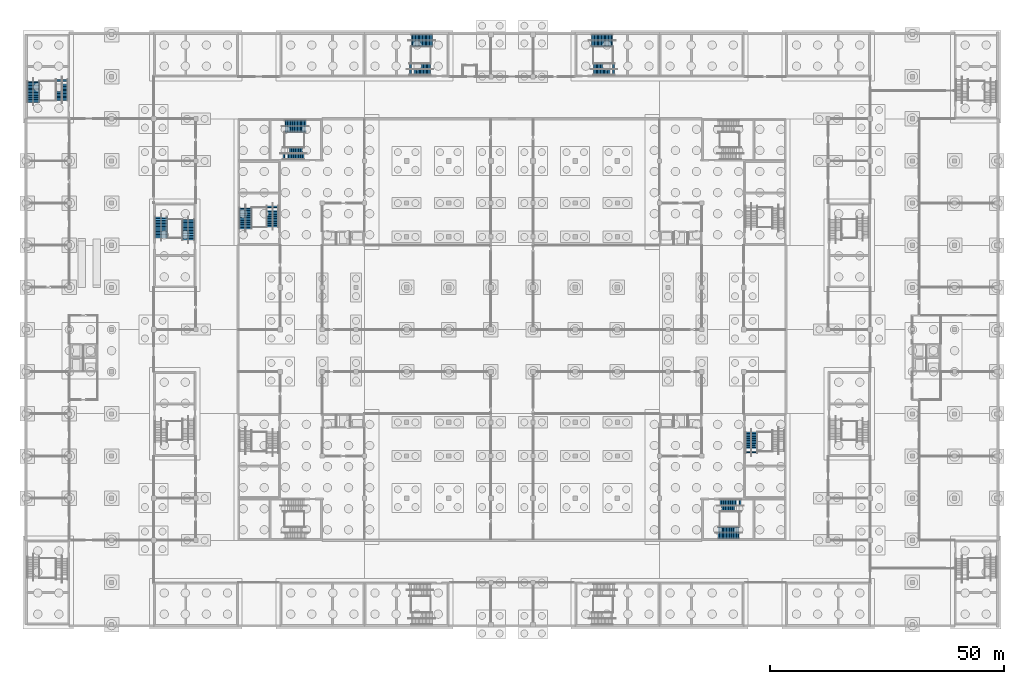
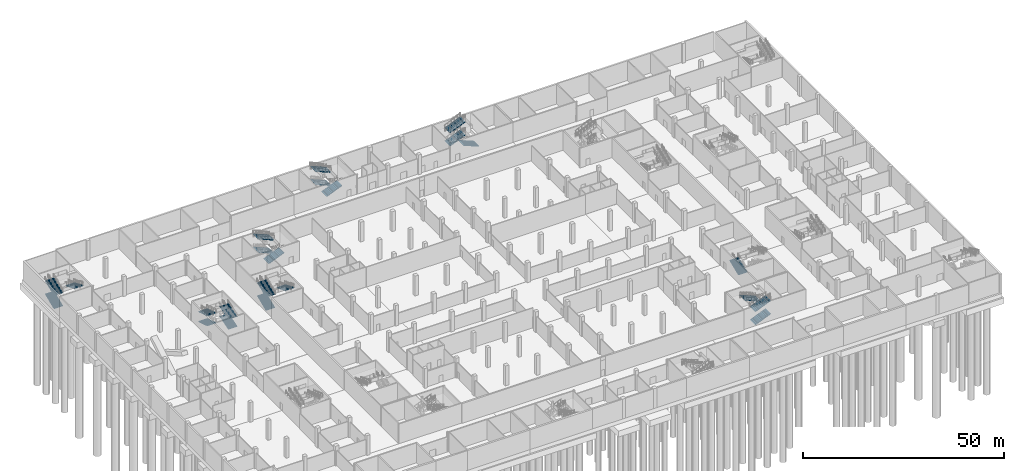
# One storey, part 24 of 42: 23 stair flights, 8 elements without a shape of their own.
"""IFC4 building model written with IfcOpenShell, lengths in metres."""

from ifc_helpers import new_model, si_unit, direction, frame, origin, place, context, subcontext, project, spatial, polyline, outline, extrude, material, type_object, element, aggregate, save


model = new_model("IFC4")

# Units and contexts
model_context = context("Model", 3, precision=1e-05, world=origin(), true_north=direction((0.0, 1.0)))
body_context = subcontext(model_context, "Body", "Model", "MODEL_VIEW")
ifc_project = project(units=[si_unit("LENGTHUNIT", "METRE"), si_unit("AREAUNIT", "SQUARE_METRE"), si_unit("VOLUMEUNIT", "CUBIC_METRE"), si_unit("PLANEANGLEUNIT", "RADIAN"), si_unit("MASSUNIT", "GRAM", prefix="KILO")], contexts=[model_context])

# Site, building, storey
site_placement = place(None, origin())
site = spatial("IfcSite", under=ifc_project, at=site_placement, CompositionType="ELEMENT")
building_placement = place(site_placement, origin())
building = spatial("IfcBuilding", under=site, at=building_placement, Name="Silverbay Arena", CompositionType="ELEMENT")
storey_placement = place(building_placement, frame((0.0, 0.0, -6.0)))
storey = spatial("IfcBuildingStorey", under=building, at=storey_placement, Name="B1", CompositionType="ELEMENT", Elevation=-6.0)

# Stair, stair flights
ifc_material_1 = material(Name="Concrete Grade C45", Category="concrete")
stair_type_1 = type_object("IfcStairType", Name="Stair 2600 wide 56 risers 107.1 x 340", PredefinedType="HALF_TURN_STAIR", material=ifc_material_1)
stair_1_placement = place(storey_placement, origin())
stair_1 = element("IfcStair", 1, at=stair_1_placement, inside=storey, type_object=stair_type_1, Name="Stair ST-W2 B1 to L00", PredefinedType="HALF_TURN_STAIR")
ifc_material_2 = material(Name="Concrete Grade C45", Category="concrete")
stair_flight_type_1 = type_object("IfcStairFlightType", Name="Stair flight 2600 wide 14 risers 107.1 x 340", PredefinedType="STRAIGHT", material=ifc_material_2)
stair_flight_1_placement = place(storey_placement, frame((61.39990234375, 100.100830078125, 0.0), z_axis=(0.0, 0.0, 1.0), x_axis=(0.0, 1.0, 0.0)))
stair_flight_1 = element("IfcStairFlight", 2, at=stair_flight_1_placement, type_object=stair_flight_type_1, Name="Stair ST-W2 B1 to L00 flight 1", NumberOfRisers=14, NumberOfTreads=13, PredefinedType="STRAIGHT", RiserHeight=0.107142857, TreadLength=0.34, context=body_context, shape_type="SweptSolid", body=[
    extrude(outline(polyline([(0.0, 0.0), (0.0, 0.107177734375), (0.340087890625, 0.107177734375), (0.340087890625, 0.21435546875), (0.679931640625, 0.21435546875), (0.679931640625, 0.321533203125), (1.02001953125, 0.321533203125), (1.02001953125, 0.428466796875), (1.360107421875, 0.428466796875), (1.360107421875, 0.53564453125), (1.699951171875, 0.53564453125), (1.699951171875, 0.642822265625), (2.0400390625, 0.642822265625), (2.0400390625, 0.75), (2.3798828125, 0.75), (2.3798828125, 0.857177734375), (2.719970703125, 0.857177734375), (2.719970703125, 0.96435546875), (3.06005859375, 0.96435546875), (3.06005859375, 1.071533203125), (3.39990234375, 1.071533203125), (3.39990234375, 1.178466796875), (3.739990234375, 1.178466796875), (3.739990234375, 1.28564453125), (4.080078125, 1.28564453125), (4.080078125, 1.392822265625), (4.419921875, 1.392822265625), (4.419921875, 1.235595703125), (0.498779296875, 0.0), (0.0, 0.0)])), frame((0.0, 1.300048828125, 0.0), z_axis=(0.0, -1.0, 0.0), x_axis=(1.0, 0.0, 0.0)), (0.0, 0.0, 1.0), 2.60009765625),
])
stair_flight_2_placement = place(storey_placement, frame((55.60009765625, 105.02001953125, 1.5), z_axis=(0.0, 0.0, 1.0), x_axis=(0.0, -1.0, 0.0)))
stair_flight_2 = element("IfcStairFlight", 3, at=stair_flight_2_placement, type_object=stair_flight_type_1, Name="Stair ST-W2 B1 to L00 flight 2", NumberOfRisers=14, NumberOfTreads=13, PredefinedType="STRAIGHT", RiserHeight=0.107142857, TreadLength=0.34, context=body_context, shape_type="SweptSolid", body=[
    extrude(outline(polyline([(0.0, 0.0), (0.0, 0.107177734375), (0.340087890625, 0.107177734375), (0.340087890625, 0.21435546875), (0.679931640625, 0.21435546875), (0.679931640625, 0.321533203125), (1.02001953125, 0.321533203125), (1.02001953125, 0.428466796875), (1.360107421875, 0.428466796875), (1.360107421875, 0.53564453125), (1.699951171875, 0.53564453125), (1.699951171875, 0.642822265625), (2.0400390625, 0.642822265625), (2.0400390625, 0.75), (2.3798828125, 0.75), (2.3798828125, 0.857177734375), (2.719970703125, 0.857177734375), (2.719970703125, 0.96435546875), (3.06005859375, 0.96435546875), (3.06005859375, 1.071533203125), (3.39990234375, 1.071533203125), (3.39990234375, 1.178466796875), (3.739990234375, 1.178466796875), (3.739990234375, 1.28564453125), (4.080078125, 1.28564453125), (4.080078125, 1.392822265625), (4.419921875, 1.392822265625), (4.419921875, 1.235595703125), (0.498779296875, 0.0), (0.0, 0.0)])), frame((0.0, 1.300048828125, 0.0), z_axis=(0.0, -1.0, 0.0), x_axis=(1.0, 0.0, 0.0)), (0.0, 0.0, 1.0), 2.60009765625),
])
stair_flight_3_placement = place(storey_placement, frame((61.39990234375, 100.100830078125, 3.0), z_axis=(0.0, 0.0, 1.0), x_axis=(0.0, 1.0, 0.0)))
stair_flight_3 = element("IfcStairFlight", 4, at=stair_flight_3_placement, type_object=stair_flight_type_1, Name="Stair ST-W2 B1 to L00 flight 3", NumberOfRisers=14, NumberOfTreads=13, PredefinedType="STRAIGHT", RiserHeight=0.107142857, TreadLength=0.34, context=body_context, shape_type="SweptSolid", body=[
    extrude(outline(polyline([(0.0, 0.0), (0.0, 0.107177734375), (0.340087890625, 0.107177734375), (0.340087890625, 0.21435546875), (0.679931640625, 0.21435546875), (0.679931640625, 0.321533203125), (1.02001953125, 0.321533203125), (1.02001953125, 0.428466796875), (1.360107421875, 0.428466796875), (1.360107421875, 0.53564453125), (1.699951171875, 0.53564453125), (1.699951171875, 0.642822265625), (2.0400390625, 0.642822265625), (2.0400390625, 0.75), (2.3798828125, 0.75), (2.3798828125, 0.857177734375), (2.719970703125, 0.857177734375), (2.719970703125, 0.96435546875), (3.06005859375, 0.96435546875), (3.06005859375, 1.071533203125), (3.39990234375, 1.071533203125), (3.39990234375, 1.178466796875), (3.739990234375, 1.178466796875), (3.739990234375, 1.28564453125), (4.080078125, 1.28564453125), (4.080078125, 1.392822265625), (4.419921875, 1.392822265625), (4.419921875, 1.235595703125), (0.498779296875, 0.0), (0.0, 0.0)])), frame((0.0, 1.300048828125, 0.0), z_axis=(0.0, -1.0, 0.0), x_axis=(1.0, 0.0, 0.0)), (0.0, 0.0, 1.0), 2.60009765625),
])
stair_flight_4_placement = place(storey_placement, frame((55.60009765625, 105.02001953125, 4.5), z_axis=(0.0, 0.0, 1.0), x_axis=(0.0, -1.0, 0.0)))
stair_flight_4 = element("IfcStairFlight", 5, at=stair_flight_4_placement, type_object=stair_flight_type_1, Name="Stair ST-W2 B1 to L00 flight 4", NumberOfRisers=14, NumberOfTreads=13, PredefinedType="STRAIGHT", RiserHeight=0.107142857, TreadLength=0.34, context=body_context, shape_type="SweptSolid", body=[
    extrude(outline(polyline([(0.0, 0.0), (0.0, 0.107177734375), (0.340087890625, 0.107177734375), (0.340087890625, 0.21435546875), (0.679931640625, 0.21435546875), (0.679931640625, 0.321533203125), (1.02001953125, 0.321533203125), (1.02001953125, 0.428466796875), (1.360107421875, 0.428466796875), (1.360107421875, 0.53564453125), (1.699951171875, 0.53564453125), (1.699951171875, 0.642822265625), (2.0400390625, 0.642822265625), (2.0400390625, 0.75), (2.3798828125, 0.75), (2.3798828125, 0.857177734375), (2.719970703125, 0.857177734375), (2.719970703125, 0.96435546875), (3.06005859375, 0.96435546875), (3.06005859375, 1.071533203125), (3.39990234375, 1.071533203125), (3.39990234375, 1.178466796875), (3.739990234375, 1.178466796875), (3.739990234375, 1.28564453125), (4.080078125, 1.28564453125), (4.080078125, 1.392822265625), (4.419921875, 1.392822265625), (4.419921875, 1.235595703125), (0.498779296875, 0.0), (0.0, 0.0)])), frame((0.0, 1.300048828125, 0.0), z_axis=(0.0, -1.0, 0.0), x_axis=(1.0, 0.0, 0.0)), (0.0, 0.0, 1.0), 2.60009765625),
])
aggregate(stair_1, [stair_flight_1, stair_flight_2, stair_flight_3, stair_flight_4])

ifc_material_3 = material(Name="Concrete Grade C45", Category="concrete")
stair_type_2 = type_object("IfcStairType", Name="Stair 2600 wide 48 risers 125.0 x 300", PredefinedType="HALF_TURN_STAIR", material=ifc_material_3)
stair_2_placement = place(storey_placement, origin())
stair_2 = element("IfcStair", 6, at=stair_2_placement, inside=storey, type_object=stair_type_2, Name="Stair ST-N2 B1 to L00", PredefinedType="HALF_TURN_STAIR")
ifc_material_4 = material(Name="Concrete Grade C45", Category="concrete")
stair_flight_type_2 = type_object("IfcStairFlightType", Name="Stair flight 2600 wide 16 risers 125.0 x 300", PredefinedType="STRAIGHT", material=ifc_material_4)
stair_flight_5_placement = place(storey_placement, frame((113.489990234375, 142.699951171875, 0.0), z_axis=(0.0, 0.0, 1.0), x_axis=(-1.0, 0.0, 0.0)))
stair_flight_5 = element("IfcStairFlight", 7, at=stair_flight_5_placement, type_object=stair_flight_type_2, Name="Stair ST-N2 B1 to L00 flight 1", NumberOfRisers=16, NumberOfTreads=15, PredefinedType="STRAIGHT", RiserHeight=0.125, TreadLength=0.3, context=body_context, shape_type="SweptSolid", body=[
    extrude(outline(polyline([(0.0, 0.0), (0.0, 0.125), (0.300048828125, 0.125), (0.300048828125, 0.25), (0.60009765625, 0.25), (0.60009765625, 0.375), (0.89990234375, 0.375), (0.89990234375, 0.5), (1.199951171875, 0.5), (1.199951171875, 0.625), (1.5, 0.625), (1.5, 0.75), (1.800048828125, 0.75), (1.800048828125, 0.875), (2.10009765625, 0.875), (2.10009765625, 1.0), (2.39990234375, 1.0), (2.39990234375, 1.125), (2.699951171875, 1.125), (2.699951171875, 1.25), (3.0, 1.25), (3.0, 1.375), (3.300048828125, 1.375), (3.300048828125, 1.5), (3.60009765625, 1.5), (3.60009765625, 1.625), (3.89990234375, 1.625), (3.89990234375, 1.75), (4.199951171875, 1.75), (4.199951171875, 1.875), (4.5, 1.875), (4.5, 1.712646484375), (0.3896484375, 0.0), (0.0, 0.0)])), frame((0.0, 1.300048828125, 0.0), z_axis=(0.0, -1.0, 0.0), x_axis=(1.0, 0.0, 0.0)), (0.0, 0.0, 1.0), 2.60009765625),
])
stair_flight_6_placement = place(storey_placement, frame((108.60009765625, 136.60009765625, 2.0), z_axis=(0.0, 0.0, 1.0), x_axis=(1.0, 0.0, 0.0)))
stair_flight_6 = element("IfcStairFlight", 8, at=stair_flight_6_placement, type_object=stair_flight_type_2, Name="Stair ST-N2 B1 to L00 flight 2", NumberOfRisers=16, NumberOfTreads=15, PredefinedType="STRAIGHT", RiserHeight=0.125, TreadLength=0.3, context=body_context, shape_type="SweptSolid", body=[
    extrude(outline(polyline([(0.0, 0.0), (0.0, 0.125), (0.300048828125, 0.125), (0.300048828125, 0.25), (0.60009765625, 0.25), (0.60009765625, 0.375), (0.89990234375, 0.375), (0.89990234375, 0.5), (1.199951171875, 0.5), (1.199951171875, 0.625), (1.5, 0.625), (1.5, 0.75), (1.800048828125, 0.75), (1.800048828125, 0.875), (2.10009765625, 0.875), (2.10009765625, 1.0), (2.39990234375, 1.0), (2.39990234375, 1.125), (2.699951171875, 1.125), (2.699951171875, 1.25), (3.0, 1.25), (3.0, 1.375), (3.300048828125, 1.375), (3.300048828125, 1.5), (3.60009765625, 1.5), (3.60009765625, 1.625), (3.89990234375, 1.625), (3.89990234375, 1.75), (4.199951171875, 1.75), (4.199951171875, 1.875), (4.5, 1.875), (4.5, 1.712646484375), (0.3896484375, 0.0), (0.0, 0.0)])), frame((0.0, 1.300048828125, 0.0), z_axis=(0.0, -1.0, 0.0), x_axis=(1.0, 0.0, 0.0)), (0.0, 0.0, 1.0), 2.60009765625),
])
stair_flight_7_placement = place(storey_placement, frame((113.489990234375, 142.699951171875, 4.0), z_axis=(0.0, 0.0, 1.0), x_axis=(-1.0, 0.0, 0.0)))
stair_flight_7 = element("IfcStairFlight", 9, at=stair_flight_7_placement, type_object=stair_flight_type_2, Name="Stair ST-N2 B1 to L00 flight 3", NumberOfRisers=16, NumberOfTreads=15, PredefinedType="STRAIGHT", RiserHeight=0.125, TreadLength=0.3, context=body_context, shape_type="SweptSolid", body=[
    extrude(outline(polyline([(0.0, 0.0), (0.0, 0.125), (0.300048828125, 0.125), (0.300048828125, 0.25), (0.60009765625, 0.25), (0.60009765625, 0.375), (0.89990234375, 0.375), (0.89990234375, 0.5), (1.199951171875, 0.5), (1.199951171875, 0.625), (1.5, 0.625), (1.5, 0.75), (1.800048828125, 0.75), (1.800048828125, 0.875), (2.10009765625, 0.875), (2.10009765625, 1.0), (2.39990234375, 1.0), (2.39990234375, 1.125), (2.699951171875, 1.125), (2.699951171875, 1.25), (3.0, 1.25), (3.0, 1.375), (3.300048828125, 1.375), (3.300048828125, 1.5), (3.60009765625, 1.5), (3.60009765625, 1.625), (3.89990234375, 1.625), (3.89990234375, 1.75), (4.199951171875, 1.75), (4.199951171875, 1.875), (4.5, 1.875), (4.5, 1.712646484375), (0.3896484375, 0.0), (0.0, 0.0)])), frame((0.0, 1.300048828125, 0.0), z_axis=(0.0, -1.0, 0.0), x_axis=(1.0, 0.0, 0.0)), (0.0, 0.0, 1.0), 2.60009765625),
])
aggregate(stair_2, [stair_flight_5, stair_flight_6, stair_flight_7])

stair_3_placement = place(storey_placement, origin())
stair_3 = element("IfcStair", 10, at=stair_3_placement, inside=storey, type_object=stair_type_2, Name="Stair ST-N3 B1 to L00", PredefinedType="HALF_TURN_STAIR")
stair_flight_8_placement = place(storey_placement, frame((147.510009765625, 142.699951171875, 0.0), z_axis=(0.0, 0.0, 1.0), x_axis=(1.0, 0.0, 0.0)))
stair_flight_8 = element("IfcStairFlight", 11, at=stair_flight_8_placement, type_object=stair_flight_type_2, Name="Stair ST-N3 B1 to L00 flight 1", NumberOfRisers=16, NumberOfTreads=15, PredefinedType="STRAIGHT", RiserHeight=0.125, TreadLength=0.3, context=body_context, shape_type="SweptSolid", body=[
    extrude(outline(polyline([(0.0, 0.0), (0.0, 0.125), (0.300048828125, 0.125), (0.300048828125, 0.25), (0.60009765625, 0.25), (0.60009765625, 0.375), (0.89990234375, 0.375), (0.89990234375, 0.5), (1.199951171875, 0.5), (1.199951171875, 0.625), (1.5, 0.625), (1.5, 0.75), (1.800048828125, 0.75), (1.800048828125, 0.875), (2.10009765625, 0.875), (2.10009765625, 1.0), (2.39990234375, 1.0), (2.39990234375, 1.125), (2.699951171875, 1.125), (2.699951171875, 1.25), (3.0, 1.25), (3.0, 1.375), (3.300048828125, 1.375), (3.300048828125, 1.5), (3.60009765625, 1.5), (3.60009765625, 1.625), (3.89990234375, 1.625), (3.89990234375, 1.75), (4.199951171875, 1.75), (4.199951171875, 1.875), (4.5, 1.875), (4.5, 1.712646484375), (0.3896484375, 0.0), (0.0, 0.0)])), frame((0.0, 1.300048828125, 0.0), z_axis=(0.0, -1.0, 0.0), x_axis=(1.0, 0.0, 0.0)), (0.0, 0.0, 1.0), 2.60009765625),
])
stair_flight_9_placement = place(storey_placement, frame((152.39990234375, 136.60009765625, 2.0), z_axis=(0.0, 0.0, 1.0), x_axis=(-1.0, 0.0, 0.0)))
stair_flight_9 = element("IfcStairFlight", 12, at=stair_flight_9_placement, type_object=stair_flight_type_2, Name="Stair ST-N3 B1 to L00 flight 2", NumberOfRisers=16, NumberOfTreads=15, PredefinedType="STRAIGHT", RiserHeight=0.125, TreadLength=0.3, context=body_context, shape_type="SweptSolid", body=[
    extrude(outline(polyline([(0.0, 0.0), (0.0, 0.125), (0.300048828125, 0.125), (0.300048828125, 0.25), (0.60009765625, 0.25), (0.60009765625, 0.375), (0.89990234375, 0.375), (0.89990234375, 0.5), (1.199951171875, 0.5), (1.199951171875, 0.625), (1.5, 0.625), (1.5, 0.75), (1.800048828125, 0.75), (1.800048828125, 0.875), (2.10009765625, 0.875), (2.10009765625, 1.0), (2.39990234375, 1.0), (2.39990234375, 1.125), (2.699951171875, 1.125), (2.699951171875, 1.25), (3.0, 1.25), (3.0, 1.375), (3.300048828125, 1.375), (3.300048828125, 1.5), (3.60009765625, 1.5), (3.60009765625, 1.625), (3.89990234375, 1.625), (3.89990234375, 1.75), (4.199951171875, 1.75), (4.199951171875, 1.875), (4.5, 1.875), (4.5, 1.712646484375), (0.3896484375, 0.0), (0.0, 0.0)])), frame((0.0, 1.300048828125, 0.0), z_axis=(0.0, -1.0, 0.0), x_axis=(1.0, 0.0, 0.0)), (0.0, 0.0, 1.0), 2.60009765625),
])
stair_flight_10_placement = place(storey_placement, frame((147.510009765625, 142.699951171875, 4.0), z_axis=(0.0, 0.0, 1.0), x_axis=(1.0, 0.0, 0.0)))
stair_flight_10 = element("IfcStairFlight", 13, at=stair_flight_10_placement, type_object=stair_flight_type_2, Name="Stair ST-N3 B1 to L00 flight 3", NumberOfRisers=16, NumberOfTreads=15, PredefinedType="STRAIGHT", RiserHeight=0.125, TreadLength=0.3, context=body_context, shape_type="SweptSolid", body=[
    extrude(outline(polyline([(0.0, 0.0), (0.0, 0.125), (0.300048828125, 0.125), (0.300048828125, 0.25), (0.60009765625, 0.25), (0.60009765625, 0.375), (0.89990234375, 0.375), (0.89990234375, 0.5), (1.199951171875, 0.5), (1.199951171875, 0.625), (1.5, 0.625), (1.5, 0.75), (1.800048828125, 0.75), (1.800048828125, 0.875), (2.10009765625, 0.875), (2.10009765625, 1.0), (2.39990234375, 1.0), (2.39990234375, 1.125), (2.699951171875, 1.125), (2.699951171875, 1.25), (3.0, 1.25), (3.0, 1.375), (3.300048828125, 1.375), (3.300048828125, 1.5), (3.60009765625, 1.5), (3.60009765625, 1.625), (3.89990234375, 1.625), (3.89990234375, 1.75), (4.199951171875, 1.75), (4.199951171875, 1.875), (4.5, 1.875), (4.5, 1.712646484375), (0.3896484375, 0.0), (0.0, 0.0)])), frame((0.0, 1.300048828125, 0.0), z_axis=(0.0, -1.0, 0.0), x_axis=(1.0, 0.0, 0.0)), (0.0, 0.0, 1.0), 2.60009765625),
])
aggregate(stair_3, [stair_flight_8, stair_flight_9, stair_flight_10])

stair_4_placement = place(storey_placement, origin())
stair_4 = element("IfcStair", 14, at=stair_4_placement, inside=storey, type_object=stair_type_2, Name="Stair ST-SE1 B1 to L00", PredefinedType="HALF_TURN_STAIR")
stair_flight_11_placement = place(storey_placement, frame((174.510009765625, 37.60009765625, 0.0), z_axis=(0.0, 0.0, 1.0), x_axis=(1.0, 0.0, 0.0)))
stair_flight_11 = element("IfcStairFlight", 15, at=stair_flight_11_placement, type_object=stair_flight_type_2, Name="Stair ST-SE1 B1 to L00 flight 1", NumberOfRisers=16, NumberOfTreads=15, PredefinedType="STRAIGHT", RiserHeight=0.125, TreadLength=0.3, context=body_context, shape_type="SweptSolid", body=[
    extrude(outline(polyline([(0.0, 0.0), (0.0, 0.125), (0.300048828125, 0.125), (0.300048828125, 0.25), (0.60009765625, 0.25), (0.60009765625, 0.375), (0.89990234375, 0.375), (0.89990234375, 0.5), (1.199951171875, 0.5), (1.199951171875, 0.625), (1.5, 0.625), (1.5, 0.75), (1.800048828125, 0.75), (1.800048828125, 0.875), (2.10009765625, 0.875), (2.10009765625, 1.0), (2.39990234375, 1.0), (2.39990234375, 1.125), (2.699951171875, 1.125), (2.699951171875, 1.25), (3.0, 1.25), (3.0, 1.375), (3.300048828125, 1.375), (3.300048828125, 1.5), (3.60009765625, 1.5), (3.60009765625, 1.625), (3.89990234375, 1.625), (3.89990234375, 1.75), (4.199951171875, 1.75), (4.199951171875, 1.875), (4.5, 1.875), (4.5, 1.712646484375), (0.3896484375, 0.0), (0.0, 0.0)])), frame((0.0, 1.300048828125, 0.0), z_axis=(0.0, -1.0, 0.0), x_axis=(1.0, 0.0, 0.0)), (0.0, 0.0, 1.0), 2.60009765625),
])
stair_flight_12_placement = place(storey_placement, frame((179.39990234375, 43.39990234375, 2.0), z_axis=(0.0, 0.0, 1.0), x_axis=(-1.0, 0.0, 0.0)))
stair_flight_12 = element("IfcStairFlight", 16, at=stair_flight_12_placement, type_object=stair_flight_type_2, Name="Stair ST-SE1 B1 to L00 flight 2", NumberOfRisers=16, NumberOfTreads=15, PredefinedType="STRAIGHT", RiserHeight=0.125, TreadLength=0.3, context=body_context, shape_type="SweptSolid", body=[
    extrude(outline(polyline([(0.0, 0.0), (0.0, 0.125), (0.300048828125, 0.125), (0.300048828125, 0.25), (0.60009765625, 0.25), (0.60009765625, 0.375), (0.89990234375, 0.375), (0.89990234375, 0.5), (1.199951171875, 0.5), (1.199951171875, 0.625), (1.5, 0.625), (1.5, 0.75), (1.800048828125, 0.75), (1.800048828125, 0.875), (2.10009765625, 0.875), (2.10009765625, 1.0), (2.39990234375, 1.0), (2.39990234375, 1.125), (2.699951171875, 1.125), (2.699951171875, 1.25), (3.0, 1.25), (3.0, 1.375), (3.300048828125, 1.375), (3.300048828125, 1.5), (3.60009765625, 1.5), (3.60009765625, 1.625), (3.89990234375, 1.625), (3.89990234375, 1.75), (4.199951171875, 1.75), (4.199951171875, 1.875), (4.5, 1.875), (4.5, 1.712646484375), (0.3896484375, 0.0), (0.0, 0.0)])), frame((0.0, 1.300048828125, 0.0), z_axis=(0.0, -1.0, 0.0), x_axis=(1.0, 0.0, 0.0)), (0.0, 0.0, 1.0), 2.60009765625),
])
stair_flight_13_placement = place(storey_placement, frame((174.510009765625, 37.60009765625, 4.0), z_axis=(0.0, 0.0, 1.0), x_axis=(1.0, 0.0, 0.0)))
stair_flight_13 = element("IfcStairFlight", 17, at=stair_flight_13_placement, type_object=stair_flight_type_2, Name="Stair ST-SE1 B1 to L00 flight 3", NumberOfRisers=16, NumberOfTreads=15, PredefinedType="STRAIGHT", RiserHeight=0.125, TreadLength=0.3, context=body_context, shape_type="SweptSolid", body=[
    extrude(outline(polyline([(0.0, 0.0), (0.0, 0.125), (0.300048828125, 0.125), (0.300048828125, 0.25), (0.60009765625, 0.25), (0.60009765625, 0.375), (0.89990234375, 0.375), (0.89990234375, 0.5), (1.199951171875, 0.5), (1.199951171875, 0.625), (1.5, 0.625), (1.5, 0.75), (1.800048828125, 0.75), (1.800048828125, 0.875), (2.10009765625, 0.875), (2.10009765625, 1.0), (2.39990234375, 1.0), (2.39990234375, 1.125), (2.699951171875, 1.125), (2.699951171875, 1.25), (3.0, 1.25), (3.0, 1.375), (3.300048828125, 1.375), (3.300048828125, 1.5), (3.60009765625, 1.5), (3.60009765625, 1.625), (3.89990234375, 1.625), (3.89990234375, 1.75), (4.199951171875, 1.75), (4.199951171875, 1.875), (4.5, 1.875), (4.5, 1.712646484375), (0.3896484375, 0.0), (0.0, 0.0)])), frame((0.0, 1.300048828125, 0.0), z_axis=(0.0, -1.0, 0.0), x_axis=(1.0, 0.0, 0.0)), (0.0, 0.0, 1.0), 2.60009765625),
])
aggregate(stair_4, [stair_flight_11, stair_flight_12, stair_flight_13])

# Stair, stair flight
stair_5_placement = place(storey_placement, origin())
stair_5 = element("IfcStair", 18, at=stair_5_placement, inside=storey, type_object=stair_type_2, Name="Stair ST-SE2 B1 to L00", PredefinedType="HALF_TURN_STAIR")
stair_flight_14_placement = place(storey_placement, frame((181.60009765625, 54.60009765625, 2.0), z_axis=(0.0, 0.0, 1.0), x_axis=(0.0, 1.0, 0.0)))
stair_flight_14 = element("IfcStairFlight", 19, at=stair_flight_14_placement, type_object=stair_flight_type_2, Name="Stair ST-SE2 B1 to L00 flight 2", NumberOfRisers=16, NumberOfTreads=15, PredefinedType="STRAIGHT", RiserHeight=0.125, TreadLength=0.3, context=body_context, shape_type="SweptSolid", body=[
    extrude(outline(polyline([(0.0, 0.0), (0.0, 0.125), (0.300048828125, 0.125), (0.300048828125, 0.25), (0.60009765625, 0.25), (0.60009765625, 0.375), (0.89990234375, 0.375), (0.89990234375, 0.5), (1.199951171875, 0.5), (1.199951171875, 0.625), (1.5, 0.625), (1.5, 0.75), (1.800048828125, 0.75), (1.800048828125, 0.875), (2.10009765625, 0.875), (2.10009765625, 1.0), (2.39990234375, 1.0), (2.39990234375, 1.125), (2.699951171875, 1.125), (2.699951171875, 1.25), (3.0, 1.25), (3.0, 1.375), (3.300048828125, 1.375), (3.300048828125, 1.5), (3.60009765625, 1.5), (3.60009765625, 1.625), (3.89990234375, 1.625), (3.89990234375, 1.75), (4.199951171875, 1.75), (4.199951171875, 1.875), (4.5, 1.875), (4.5, 1.712646484375), (0.3896484375, 0.0), (0.0, 0.0)])), frame((0.0, 1.300048828125, 0.0), z_axis=(0.0, -1.0, 0.0), x_axis=(1.0, 0.0, 0.0)), (0.0, 0.0, 1.0), 2.60009765625),
])
aggregate(stair_5, [stair_flight_14])

# Stair, stair flights
stair_6_placement = place(storey_placement, origin())
stair_6 = element("IfcStair", 20, at=stair_6_placement, inside=storey, type_object=stair_type_2, Name="Stair ST-NW1 B1 to L00", PredefinedType="HALF_TURN_STAIR")
stair_flight_15_placement = place(storey_placement, frame((86.489990234375, 124.39990234375, 0.0), z_axis=(0.0, 0.0, 1.0), x_axis=(-1.0, 0.0, 0.0)))
stair_flight_15 = element("IfcStairFlight", 21, at=stair_flight_15_placement, type_object=stair_flight_type_2, Name="Stair ST-NW1 B1 to L00 flight 1", NumberOfRisers=16, NumberOfTreads=15, PredefinedType="STRAIGHT", RiserHeight=0.125, TreadLength=0.3, context=body_context, shape_type="SweptSolid", body=[
    extrude(outline(polyline([(0.0, 0.0), (0.0, 0.125), (0.300048828125, 0.125), (0.300048828125, 0.25), (0.60009765625, 0.25), (0.60009765625, 0.375), (0.89990234375, 0.375), (0.89990234375, 0.5), (1.199951171875, 0.5), (1.199951171875, 0.625), (1.5, 0.625), (1.5, 0.75), (1.800048828125, 0.75), (1.800048828125, 0.875), (2.10009765625, 0.875), (2.10009765625, 1.0), (2.39990234375, 1.0), (2.39990234375, 1.125), (2.699951171875, 1.125), (2.699951171875, 1.25), (3.0, 1.25), (3.0, 1.375), (3.300048828125, 1.375), (3.300048828125, 1.5), (3.60009765625, 1.5), (3.60009765625, 1.625), (3.89990234375, 1.625), (3.89990234375, 1.75), (4.199951171875, 1.75), (4.199951171875, 1.875), (4.5, 1.875), (4.5, 1.712646484375), (0.3896484375, 0.0), (0.0, 0.0)])), frame((0.0, 1.300048828125, 0.0), z_axis=(0.0, -1.0, 0.0), x_axis=(1.0, 0.0, 0.0)), (0.0, 0.0, 1.0), 2.60009765625),
])
stair_flight_16_placement = place(storey_placement, frame((81.60009765625, 118.60009765625, 2.0), z_axis=(0.0, 0.0, 1.0), x_axis=(1.0, 0.0, 0.0)))
stair_flight_16 = element("IfcStairFlight", 22, at=stair_flight_16_placement, type_object=stair_flight_type_2, Name="Stair ST-NW1 B1 to L00 flight 2", NumberOfRisers=16, NumberOfTreads=15, PredefinedType="STRAIGHT", RiserHeight=0.125, TreadLength=0.3, context=body_context, shape_type="SweptSolid", body=[
    extrude(outline(polyline([(0.0, 0.0), (0.0, 0.125), (0.300048828125, 0.125), (0.300048828125, 0.25), (0.60009765625, 0.25), (0.60009765625, 0.375), (0.89990234375, 0.375), (0.89990234375, 0.5), (1.199951171875, 0.5), (1.199951171875, 0.625), (1.5, 0.625), (1.5, 0.75), (1.800048828125, 0.75), (1.800048828125, 0.875), (2.10009765625, 0.875), (2.10009765625, 1.0), (2.39990234375, 1.0), (2.39990234375, 1.125), (2.699951171875, 1.125), (2.699951171875, 1.25), (3.0, 1.25), (3.0, 1.375), (3.300048828125, 1.375), (3.300048828125, 1.5), (3.60009765625, 1.5), (3.60009765625, 1.625), (3.89990234375, 1.625), (3.89990234375, 1.75), (4.199951171875, 1.75), (4.199951171875, 1.875), (4.5, 1.875), (4.5, 1.712646484375), (0.3896484375, 0.0), (0.0, 0.0)])), frame((0.0, 1.300048828125, 0.0), z_axis=(0.0, -1.0, 0.0), x_axis=(1.0, 0.0, 0.0)), (0.0, 0.0, 1.0), 2.60009765625),
])
stair_flight_17_placement = place(storey_placement, frame((86.489990234375, 124.39990234375, 4.0), z_axis=(0.0, 0.0, 1.0), x_axis=(-1.0, 0.0, 0.0)))
stair_flight_17 = element("IfcStairFlight", 23, at=stair_flight_17_placement, type_object=stair_flight_type_2, Name="Stair ST-NW1 B1 to L00 flight 3", NumberOfRisers=16, NumberOfTreads=15, PredefinedType="STRAIGHT", RiserHeight=0.125, TreadLength=0.3, context=body_context, shape_type="SweptSolid", body=[
    extrude(outline(polyline([(0.0, 0.0), (0.0, 0.125), (0.300048828125, 0.125), (0.300048828125, 0.25), (0.60009765625, 0.25), (0.60009765625, 0.375), (0.89990234375, 0.375), (0.89990234375, 0.5), (1.199951171875, 0.5), (1.199951171875, 0.625), (1.5, 0.625), (1.5, 0.75), (1.800048828125, 0.75), (1.800048828125, 0.875), (2.10009765625, 0.875), (2.10009765625, 1.0), (2.39990234375, 1.0), (2.39990234375, 1.125), (2.699951171875, 1.125), (2.699951171875, 1.25), (3.0, 1.25), (3.0, 1.375), (3.300048828125, 1.375), (3.300048828125, 1.5), (3.60009765625, 1.5), (3.60009765625, 1.625), (3.89990234375, 1.625), (3.89990234375, 1.75), (4.199951171875, 1.75), (4.199951171875, 1.875), (4.5, 1.875), (4.5, 1.712646484375), (0.3896484375, 0.0), (0.0, 0.0)])), frame((0.0, 1.300048828125, 0.0), z_axis=(0.0, -1.0, 0.0), x_axis=(1.0, 0.0, 0.0)), (0.0, 0.0, 1.0), 2.60009765625),
])
aggregate(stair_6, [stair_flight_15, stair_flight_16, stair_flight_17])

stair_7_placement = place(storey_placement, origin())
stair_7 = element("IfcStair", 24, at=stair_7_placement, inside=storey, type_object=stair_type_2, Name="Stair ST-NW2 B1 to L00", PredefinedType="HALF_TURN_STAIR")
stair_flight_18_placement = place(storey_placement, frame((73.60009765625, 102.510009765625, 0.0), z_axis=(0.0, 0.0, 1.0), x_axis=(0.0, 1.0, 0.0)))
stair_flight_18 = element("IfcStairFlight", 25, at=stair_flight_18_placement, type_object=stair_flight_type_2, Name="Stair ST-NW2 B1 to L00 flight 1", NumberOfRisers=16, NumberOfTreads=15, PredefinedType="STRAIGHT", RiserHeight=0.125, TreadLength=0.3, context=body_context, shape_type="SweptSolid", body=[
    extrude(outline(polyline([(0.0, 0.0), (0.0, 0.125), (0.300048828125, 0.125), (0.300048828125, 0.25), (0.60009765625, 0.25), (0.60009765625, 0.375), (0.89990234375, 0.375), (0.89990234375, 0.5), (1.199951171875, 0.5), (1.199951171875, 0.625), (1.5, 0.625), (1.5, 0.75), (1.800048828125, 0.75), (1.800048828125, 0.875), (2.10009765625, 0.875), (2.10009765625, 1.0), (2.39990234375, 1.0), (2.39990234375, 1.125), (2.699951171875, 1.125), (2.699951171875, 1.25), (3.0, 1.25), (3.0, 1.375), (3.300048828125, 1.375), (3.300048828125, 1.5), (3.60009765625, 1.5), (3.60009765625, 1.625), (3.89990234375, 1.625), (3.89990234375, 1.75), (4.199951171875, 1.75), (4.199951171875, 1.875), (4.5, 1.875), (4.5, 1.712646484375), (0.3896484375, 0.0), (0.0, 0.0)])), frame((0.0, 1.300048828125, 0.0), z_axis=(0.0, -1.0, 0.0), x_axis=(1.0, 0.0, 0.0)), (0.0, 0.0, 1.0), 2.60009765625),
])
stair_flight_19_placement = place(storey_placement, frame((79.39990234375, 107.39990234375, 2.0), z_axis=(0.0, 0.0, 1.0), x_axis=(0.0, -1.0, 0.0)))
stair_flight_19 = element("IfcStairFlight", 26, at=stair_flight_19_placement, type_object=stair_flight_type_2, Name="Stair ST-NW2 B1 to L00 flight 2", NumberOfRisers=16, NumberOfTreads=15, PredefinedType="STRAIGHT", RiserHeight=0.125, TreadLength=0.3, context=body_context, shape_type="SweptSolid", body=[
    extrude(outline(polyline([(0.0, 0.0), (0.0, 0.125), (0.300048828125, 0.125), (0.300048828125, 0.25), (0.60009765625, 0.25), (0.60009765625, 0.375), (0.89990234375, 0.375), (0.89990234375, 0.5), (1.199951171875, 0.5), (1.199951171875, 0.625), (1.5, 0.625), (1.5, 0.75), (1.800048828125, 0.75), (1.800048828125, 0.875), (2.10009765625, 0.875), (2.10009765625, 1.0), (2.39990234375, 1.0), (2.39990234375, 1.125), (2.699951171875, 1.125), (2.699951171875, 1.25), (3.0, 1.25), (3.0, 1.375), (3.300048828125, 1.375), (3.300048828125, 1.5), (3.60009765625, 1.5), (3.60009765625, 1.625), (3.89990234375, 1.625), (3.89990234375, 1.75), (4.199951171875, 1.75), (4.199951171875, 1.875), (4.5, 1.875), (4.5, 1.712646484375), (0.3896484375, 0.0), (0.0, 0.0)])), frame((0.0, 1.300048828125, 0.0), z_axis=(0.0, -1.0, 0.0), x_axis=(1.0, 0.0, 0.0)), (0.0, 0.0, 1.0), 2.60009765625),
])
stair_flight_20_placement = place(storey_placement, frame((73.60009765625, 102.510009765625, 4.0), z_axis=(0.0, 0.0, 1.0), x_axis=(0.0, 1.0, 0.0)))
stair_flight_20 = element("IfcStairFlight", 27, at=stair_flight_20_placement, type_object=stair_flight_type_2, Name="Stair ST-NW2 B1 to L00 flight 3", NumberOfRisers=16, NumberOfTreads=15, PredefinedType="STRAIGHT", RiserHeight=0.125, TreadLength=0.3, context=body_context, shape_type="SweptSolid", body=[
    extrude(outline(polyline([(0.0, 0.0), (0.0, 0.125), (0.300048828125, 0.125), (0.300048828125, 0.25), (0.60009765625, 0.25), (0.60009765625, 0.375), (0.89990234375, 0.375), (0.89990234375, 0.5), (1.199951171875, 0.5), (1.199951171875, 0.625), (1.5, 0.625), (1.5, 0.75), (1.800048828125, 0.75), (1.800048828125, 0.875), (2.10009765625, 0.875), (2.10009765625, 1.0), (2.39990234375, 1.0), (2.39990234375, 1.125), (2.699951171875, 1.125), (2.699951171875, 1.25), (3.0, 1.25), (3.0, 1.375), (3.300048828125, 1.375), (3.300048828125, 1.5), (3.60009765625, 1.5), (3.60009765625, 1.625), (3.89990234375, 1.625), (3.89990234375, 1.75), (4.199951171875, 1.75), (4.199951171875, 1.875), (4.5, 1.875), (4.5, 1.712646484375), (0.3896484375, 0.0), (0.0, 0.0)])), frame((0.0, 1.300048828125, 0.0), z_axis=(0.0, -1.0, 0.0), x_axis=(1.0, 0.0, 0.0)), (0.0, 0.0, 1.0), 2.60009765625),
])
aggregate(stair_7, [stair_flight_18, stair_flight_19, stair_flight_20])

stair_8_placement = place(storey_placement, origin())
stair_8 = element("IfcStair", 28, at=stair_8_placement, inside=storey, type_object=stair_type_2, Name="Stair ST-WG2 B1 to L00", PredefinedType="HALF_TURN_STAIR")
stair_flight_21_placement = place(storey_placement, frame((28.300048828125, 129.510009765625, 0.0), z_axis=(0.0, 0.0, 1.0), x_axis=(0.0, 1.0, 0.0)))
stair_flight_21 = element("IfcStairFlight", 29, at=stair_flight_21_placement, type_object=stair_flight_type_2, Name="Stair ST-WG2 B1 to L00 flight 1", NumberOfRisers=16, NumberOfTreads=15, PredefinedType="STRAIGHT", RiserHeight=0.125, TreadLength=0.3, context=body_context, shape_type="SweptSolid", body=[
    extrude(outline(polyline([(0.0, 0.0), (0.0, 0.125), (0.300048828125, 0.125), (0.300048828125, 0.25), (0.60009765625, 0.25), (0.60009765625, 0.375), (0.89990234375, 0.375), (0.89990234375, 0.5), (1.199951171875, 0.5), (1.199951171875, 0.625), (1.5, 0.625), (1.5, 0.75), (1.800048828125, 0.75), (1.800048828125, 0.875), (2.10009765625, 0.875), (2.10009765625, 1.0), (2.39990234375, 1.0), (2.39990234375, 1.125), (2.699951171875, 1.125), (2.699951171875, 1.25), (3.0, 1.25), (3.0, 1.375), (3.300048828125, 1.375), (3.300048828125, 1.5), (3.60009765625, 1.5), (3.60009765625, 1.625), (3.89990234375, 1.625), (3.89990234375, 1.75), (4.199951171875, 1.75), (4.199951171875, 1.875), (4.5, 1.875), (4.5, 1.712646484375), (0.3896484375, 0.0), (0.0, 0.0)])), frame((0.0, 1.300048828125, 0.0), z_axis=(0.0, -1.0, 0.0), x_axis=(1.0, 0.0, 0.0)), (0.0, 0.0, 1.0), 2.60009765625),
])
stair_flight_22_placement = place(storey_placement, frame((34.39990234375, 134.39990234375, 2.0), z_axis=(0.0, 0.0, 1.0), x_axis=(0.0, -1.0, 0.0)))
stair_flight_22 = element("IfcStairFlight", 30, at=stair_flight_22_placement, type_object=stair_flight_type_2, Name="Stair ST-WG2 B1 to L00 flight 2", NumberOfRisers=16, NumberOfTreads=15, PredefinedType="STRAIGHT", RiserHeight=0.125, TreadLength=0.3, context=body_context, shape_type="SweptSolid", body=[
    extrude(outline(polyline([(0.0, 0.0), (0.0, 0.125), (0.300048828125, 0.125), (0.300048828125, 0.25), (0.60009765625, 0.25), (0.60009765625, 0.375), (0.89990234375, 0.375), (0.89990234375, 0.5), (1.199951171875, 0.5), (1.199951171875, 0.625), (1.5, 0.625), (1.5, 0.75), (1.800048828125, 0.75), (1.800048828125, 0.875), (2.10009765625, 0.875), (2.10009765625, 1.0), (2.39990234375, 1.0), (2.39990234375, 1.125), (2.699951171875, 1.125), (2.699951171875, 1.25), (3.0, 1.25), (3.0, 1.375), (3.300048828125, 1.375), (3.300048828125, 1.5), (3.60009765625, 1.5), (3.60009765625, 1.625), (3.89990234375, 1.625), (3.89990234375, 1.75), (4.199951171875, 1.75), (4.199951171875, 1.875), (4.5, 1.875), (4.5, 1.712646484375), (0.3896484375, 0.0), (0.0, 0.0)])), frame((0.0, 1.300048828125, 0.0), z_axis=(0.0, -1.0, 0.0), x_axis=(1.0, 0.0, 0.0)), (0.0, 0.0, 1.0), 2.60009765625),
])
stair_flight_23_placement = place(storey_placement, frame((28.300048828125, 129.510009765625, 4.0), z_axis=(0.0, 0.0, 1.0), x_axis=(0.0, 1.0, 0.0)))
stair_flight_23 = element("IfcStairFlight", 31, at=stair_flight_23_placement, type_object=stair_flight_type_2, Name="Stair ST-WG2 B1 to L00 flight 3", NumberOfRisers=16, NumberOfTreads=15, PredefinedType="STRAIGHT", RiserHeight=0.125, TreadLength=0.3, context=body_context, shape_type="SweptSolid", body=[
    extrude(outline(polyline([(0.0, 0.0), (0.0, 0.125), (0.300048828125, 0.125), (0.300048828125, 0.25), (0.60009765625, 0.25), (0.60009765625, 0.375), (0.89990234375, 0.375), (0.89990234375, 0.5), (1.199951171875, 0.5), (1.199951171875, 0.625), (1.5, 0.625), (1.5, 0.75), (1.800048828125, 0.75), (1.800048828125, 0.875), (2.10009765625, 0.875), (2.10009765625, 1.0), (2.39990234375, 1.0), (2.39990234375, 1.125), (2.699951171875, 1.125), (2.699951171875, 1.25), (3.0, 1.25), (3.0, 1.375), (3.300048828125, 1.375), (3.300048828125, 1.5), (3.60009765625, 1.5), (3.60009765625, 1.625), (3.89990234375, 1.625), (3.89990234375, 1.75), (4.199951171875, 1.75), (4.199951171875, 1.875), (4.5, 1.875), (4.5, 1.712646484375), (0.3896484375, 0.0), (0.0, 0.0)])), frame((0.0, 1.300048828125, 0.0), z_axis=(0.0, -1.0, 0.0), x_axis=(1.0, 0.0, 0.0)), (0.0, 0.0, 1.0), 2.60009765625),
])
aggregate(stair_8, [stair_flight_21, stair_flight_22, stair_flight_23])

save(model, "model.ifc")
